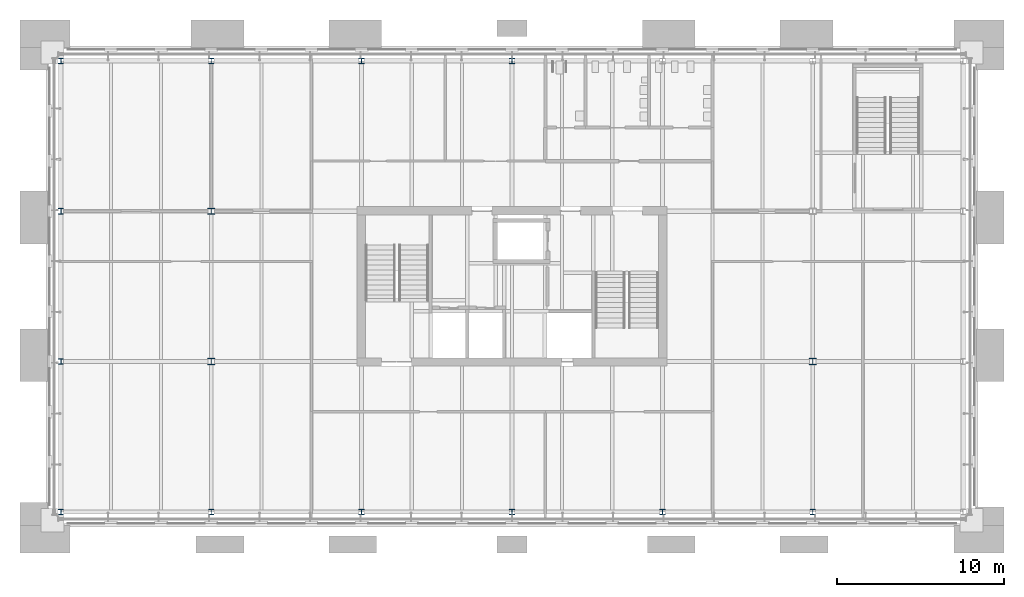
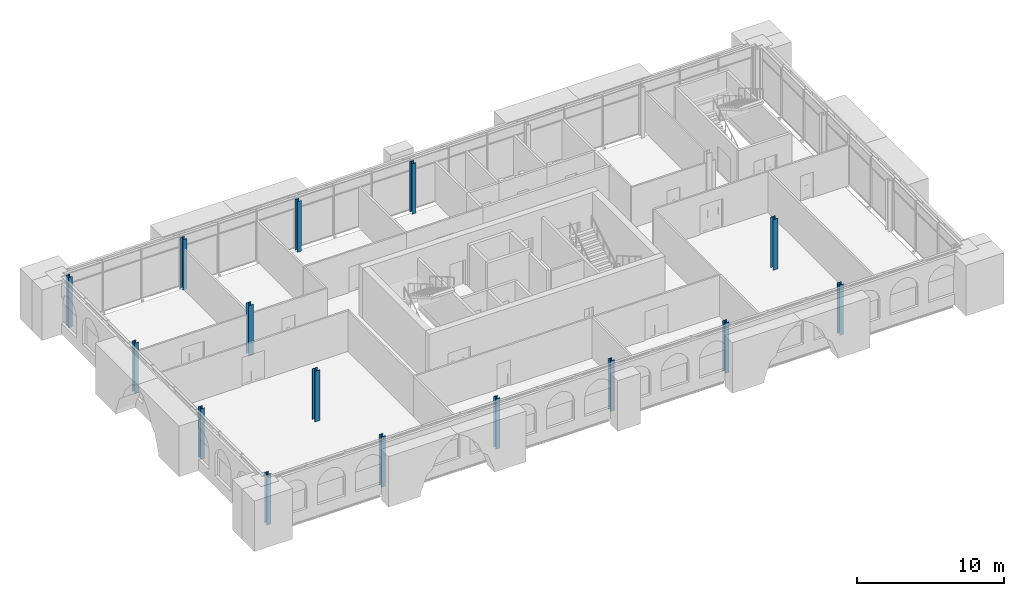
# One storey, part 1 of 22: 15 columns.
"""IFC4 building model written with IfcOpenShell, lengths in metres."""

from ifc_helpers import new_model, si_unit, direction, frame, origin, origin_2d, place, context, subcontext, project, spatial, i_section, extrude, material, material_profile, profile_set, type_object, element, save


model = new_model("IFC4")

# Units and contexts
model_context = context("Model", 3, precision=1e-05, world=origin(), true_north=direction((0.0, 1.0)))
body_context = subcontext(model_context, "Body", "Model", "MODEL_VIEW")
ifc_project = project(units=[si_unit("LENGTHUNIT", "METRE"), si_unit("AREAUNIT", "SQUARE_METRE"), si_unit("VOLUMEUNIT", "CUBIC_METRE"), si_unit("PLANEANGLEUNIT", "RADIAN"), si_unit("MASSUNIT", "GRAM", prefix="KILO")], contexts=[model_context])

# Site, building, storey
site_placement = place(None, origin())
site = spatial("IfcSite", under=ifc_project, at=site_placement, CompositionType="ELEMENT")
building_placement = place(site_placement, origin())
building = spatial("IfcBuilding", under=site, at=building_placement, Name="Baradari Gate Terminus", CompositionType="ELEMENT")
storey_placement = place(building_placement, frame((0.0, 0.0, 28.5)))
storey = spatial("IfcBuildingStorey", under=building, at=storey_placement, Name="L06", CompositionType="ELEMENT", Elevation=28.5)

# Columns
ifc_material_1 = material(Name="Steel S355", Category="steel")
ifc_material_profile_1 = material_profile(ifc_material_1, i_section(OverallWidth=0.394775390625, OverallDepth=0.381103515625, WebThickness=0.018310546875, FlangeThickness=0.0302734375, FilletRadius=0.01513671875, at=origin_2d()), Name="UC 356x406x235")
ifc_profile_set_1 = profile_set([ifc_material_profile_1], Name="Steel S355")
column_type_1 = type_object("IfcColumnType", Name="Operations block column C21 UC 356x406x235", PredefinedType="COLUMN", material=ifc_profile_set_1)
for number, where, z_axis, x_axis, name in (
    (1, (18.0, 126.0, 0.0), (0.0, 0.0, 1.0), (1.0, 0.0, 0.0), "C21 column 3-Q L06"),
    (2, (18.0, 135.0, 0.0), (0.0, 0.0, 1.0), (1.0, 0.0, 0.0), "C21 column 3-R L06"),
    (3, (54.0, 126.0, 0.0), (0.0, 0.0, 1.0), (1.0, 0.0, 0.0), "C21 column 7-Q L06"),
):
    element("IfcColumn", number, at=place(storey_placement, frame(where, z_axis=z_axis, x_axis=x_axis)), inside=storey, type_object=column_type_1, Name=name, PredefinedType="COLUMN", context=body_context, shape_type="SweptSolid", body=[
        extrude(i_section(OverallWidth=0.394775390625, OverallDepth=0.381103515625, WebThickness=0.018310546875, FlangeThickness=0.0302734375, FilletRadius=0.01513671875, at=origin_2d()), origin(), (0.0, 0.0, 1.0), 4.199951171875),
    ])
ifc_material_2 = material(Name="Steel S355", Category="steel")
ifc_material_profile_2 = material_profile(ifc_material_2, i_section(OverallWidth=0.314453125, OverallDepth=0.33984375, WebThickness=0.01904296875, FlangeThickness=0.031494140625, FilletRadius=0.01513671875, at=origin_2d()), Name="UC 305x305x198")
ifc_profile_set_2 = profile_set([ifc_material_profile_2], Name="Steel S355")
column_type_2 = type_object("IfcColumnType", Name="Operations block perimeter column C20 UC 305x305x198", PredefinedType="COLUMN", material=ifc_profile_set_2)
for number, where, z_axis, x_axis, name in (
    (4, (9.0, 117.0, 0.0), (0.0, 0.0, 1.0), (1.0, 0.0, 0.0), "C20 column 2-P L06"),
    (5, (9.0, 126.0, 0.0), (0.0, 0.0, 1.0), (1.0, 0.0, 0.0), "C20 column 2-Q L06"),
    (6, (9.0, 135.0, 0.0), (0.0, 0.0, 1.0), (1.0, 0.0, 0.0), "C20 column 2-R L06"),
    (7, (9.0, 144.0, 0.0), (0.0, 0.0, 1.0), (1.0, 0.0, 0.0), "C20 column 2-S L06"),
    (8, (18.0, 117.0, 0.0), (0.0, 0.0, 1.0), (1.0, 0.0, 0.0), "C20 column 3-P L06"),
    (9, (18.0, 144.0, 0.0), (0.0, 0.0, 1.0), (1.0, 0.0, 0.0), "C20 column 3-S L06"),
    (10, (27.0, 117.0, 0.0), (0.0, 0.0, 1.0), (1.0, 0.0, 0.0), "C20 column 4-P L06"),
    (11, (27.0, 144.0, 0.0), (0.0, 0.0, 1.0), (1.0, 0.0, 0.0), "C20 column 4-S L06"),
    (12, (36.0, 117.0, 0.0), (0.0, 0.0, 1.0), (1.0, 0.0, 0.0), "C20 column 5-P L06"),
    (13, (36.0, 144.0, 0.0), (0.0, 0.0, 1.0), (1.0, 0.0, 0.0), "C20 column 5-S L06"),
    (14, (45.0, 117.0, 0.0), (0.0, 0.0, 1.0), (1.0, 0.0, 0.0), "C20 column 6-P L06"),
    (15, (54.0, 117.0, 0.0), (0.0, 0.0, 1.0), (1.0, 0.0, 0.0), "C20 column 7-P L06"),
):
    element("IfcColumn", number, at=place(storey_placement, frame(where, z_axis=z_axis, x_axis=x_axis)), inside=storey, type_object=column_type_2, Name=name, PredefinedType="COLUMN", context=body_context, shape_type="SweptSolid", body=[
        extrude(i_section(OverallWidth=0.314453125, OverallDepth=0.33984375, WebThickness=0.01904296875, FlangeThickness=0.031494140625, FilletRadius=0.01513671875, at=origin_2d()), origin(), (0.0, 0.0, 1.0), 4.199951171875),
    ])

save(model, "model.ifc")
